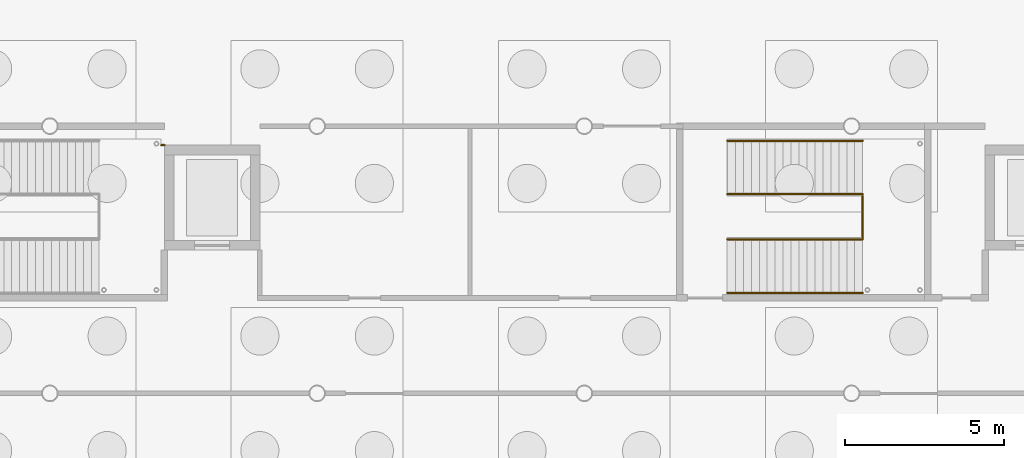
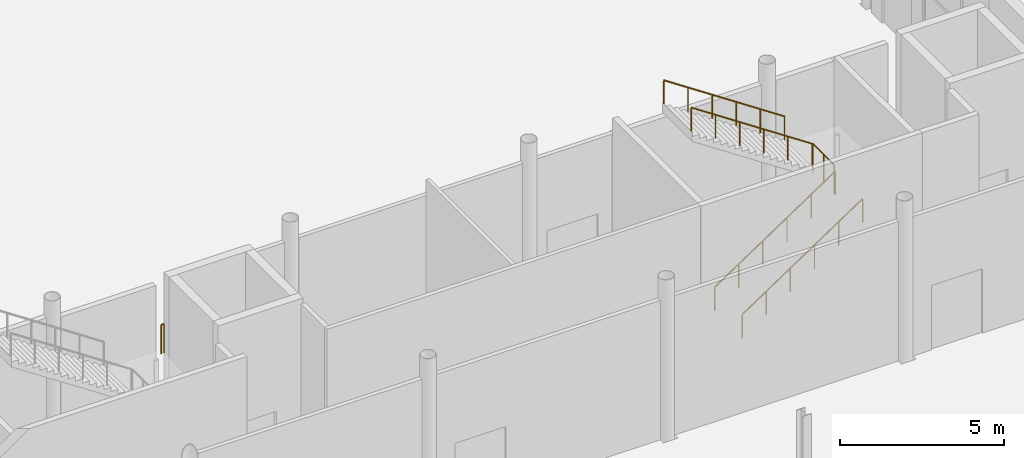
# One storey, part 197 of 212: 6 railings.
"""IFC4 building model written with IfcOpenShell, lengths in metres."""

import ifcopenshell
import ifcopenshell.guid

model = None  # the IFC model being written
_history = None  # IfcOwnerHistory: only IFC2X3 demands one
_inside = {}  # id of a spatial element -> (the spatial element, [elements in it])
_under = {}  # id of a project, library or spatial element -> (it, [spatial elements below it])
_declared = {}  # id of a project -> (the project, [libraries it declares])
_typed = {}  # id of a type object -> (the type object, [elements of that type])
_made_of = {}  # id of a material, layer set ... -> (it, [elements and type objects made of it])


def new_model(schema):
    """Start an empty IFC model of exactly this schema.

    Asked for "IFC4X3", IfcOpenShell would pick the latest addendum, in which some entities
    have other attributes; the version numbers below select the first issue.
    IFC2X3 requires an IfcOwnerHistory on every rooted entity: one is made here for all.
    """
    global model, _history
    if schema == "IFC4X3":
        model = ifcopenshell.file(schema_version=(4, 3, 0, 0))
    else:
        model = ifcopenshell.file(schema=schema)
    _inside.clear()
    _under.clear()
    _declared.clear()
    _typed.clear()
    _made_of.clear()
    _history = None
    if model.schema == "IFC2X3":
        org = make("IfcOrganization", Name="unknown")
        user = make(
            "IfcPersonAndOrganization",
            ThePerson=make("IfcPerson", FamilyName="unknown"),
            TheOrganization=org,
        )
        app = make(
            "IfcApplication",
            ApplicationDeveloper=org,
            Version="unknown",
            ApplicationFullName="unknown",
            ApplicationIdentifier="unknown",
        )
        _history = make(
            "IfcOwnerHistory",
            OwningUser=user,
            OwningApplication=app,
            ChangeAction="ADDED",
            CreationDate=0,
        )
    return model


def make(cls, **values):
    """One entity of the class cls with the attributes given. An attribute that is None is left unset."""
    return model.create_entity(
        cls, **{name: value for name, value in values.items() if value is not None}
    )


def rooted(cls, **values):
    """An entity with a GlobalId (a new one), such as an element, a storey or a relation."""
    return make(cls, GlobalId=ifcopenshell.guid.new(), OwnerHistory=_history, **values)


def si_unit(unit_type, name, prefix=None):
    """IfcSIUnit, for example si_unit("LENGTHUNIT", "METRE", prefix="MILLI")."""
    return make("IfcSIUnit", UnitType=unit_type, Prefix=prefix, Name=name)


def assignment(units):
    """IfcUnitAssignment: the units of a project."""
    return None if units is None else make("IfcUnitAssignment", Units=units)


def point(xyz):
    """IfcCartesianPoint."""
    return None if xyz is None else make("IfcCartesianPoint", Coordinates=xyz)


def direction(xyz):
    """IfcDirection."""
    return None if xyz is None else make("IfcDirection", DirectionRatios=xyz)


def frame(location, z_axis=None, x_axis=None):
    """IfcAxis2Placement3D, a coordinate frame: its origin and axes. An axis left out is left unset."""
    return make(
        "IfcAxis2Placement3D",
        Location=point(location),
        Axis=direction(z_axis),
        RefDirection=direction(x_axis),
    )


def frame_2d(location, x_axis=None):
    """IfcAxis2Placement2D, a coordinate frame in the plane: its origin and x axis."""
    return make(
        "IfcAxis2Placement2D", Location=point(location), RefDirection=direction(x_axis)
    )


def origin():
    """The frame at (0, 0, 0) with its axes left unset."""
    return frame((0.0, 0.0, 0.0))


def origin_2d():
    """The frame at (0, 0) in the plane with its x axis left unset."""
    return frame_2d((0.0, 0.0))


def place(relative_to, where):
    """IfcLocalPlacement: puts the frame where relative to a parent placement (None: the world)."""
    return make(
        "IfcLocalPlacement", PlacementRelTo=relative_to, RelativePlacement=where
    )


def context(
    kind, dimensions, precision=None, world=None, true_north=None, identifier=None
):
    """IfcGeometricRepresentationContext, for example the 3D "Model" context."""
    return make(
        "IfcGeometricRepresentationContext",
        ContextIdentifier=identifier,
        ContextType=kind,
        CoordinateSpaceDimension=dimensions,
        Precision=precision,
        WorldCoordinateSystem=world,
        TrueNorth=true_north,
    )


def subcontext(parent, identifier, kind, view, scale=None):
    """IfcGeometricRepresentationSubContext, for example "Body" below "Model"."""
    return make(
        "IfcGeometricRepresentationSubContext",
        ContextIdentifier=identifier,
        ContextType=kind,
        ParentContext=parent,
        TargetScale=scale,
        TargetView=view,
    )


def project(units=None, contexts=None):
    """IfcProject with its units and contexts."""
    return rooted(
        "IfcProject",
        Name="project",
        RepresentationContexts=contexts,
        UnitsInContext=assignment(units),
    )


def spatial(cls, under=None, at=None, **own):
    """A site, building, storey or space (cls), placed at a placement, below another one or the project."""
    s = rooted(cls, ObjectPlacement=at, **own)
    if under is not None:
        _under.setdefault(under.id(), (under, []))[1].append(s)
    return s


def profile(cls, at=None, kind="AREA", **sizes):
    """A parametric profile (cls). Its sizes go by their IFC names, for example OverallWidth=200.0."""
    return make(cls, ProfileType=kind, Position=at, **sizes)


def circle(**sizes):
    """IfcCircleProfileDef."""
    return profile("IfcCircleProfileDef", **sizes)


def extrude(swept, where, along, depth):
    """IfcExtrudedAreaSolid: the profile swept, set in the frame where, extruded along a direction by depth."""
    return make(
        "IfcExtrudedAreaSolid",
        SweptArea=swept,
        Position=where,
        ExtrudedDirection=direction(along),
        Depth=depth,
    )


def shape(context_of_items, identifier, shape_type, items):
    """IfcShapeRepresentation: the items that make up one representation, for example the "Body"."""
    return make(
        "IfcShapeRepresentation",
        ContextOfItems=context_of_items,
        RepresentationIdentifier=identifier,
        RepresentationType=shape_type,
        Items=items,
    )


def material(Name=None, Category=None):
    """IfcMaterial."""
    return make("IfcMaterial", Name=Name, Category=Category)


def made_of(thing, what):
    """Note that an element or type object is made of a material, layer set ...; save() writes the relation."""
    if what is not None:
        _made_of.setdefault(what.id(), (what, []))[1].append(thing)
    return thing


def type_object(cls, material=None, **own):
    """A type object (cls), such as IfcWallType, which elements share."""
    return made_of(rooted(cls, **own), material)


def element(
    cls,
    number,
    at=None,
    inside=None,
    cuts=None,
    type_object=None,
    material=None,
    context=None,
    identifier="Body",
    shape_type=None,
    held_by="IfcProductDefinitionShape",
    body=None,
    shapes=None,
    **own,
):
    """One element of the class cls, such as IfcWall. Its Tag is "e" and its number.

    at: its placement. inside: the storey or other place that contains it. cuts: it is an
    opening in that element (IfcRelVoidsElement). A single representation is given by context,
    identifier, shape_type and body (its items); several are given by shapes. held_by: the class
    of the entity that holds the representations. save() writes the other relations.
    """
    e = rooted(cls, Tag="e%d" % number, ObjectPlacement=at, **own)
    if body is not None:
        shapes = [shape(context, identifier, shape_type, body)]
    if shapes is not None:
        e.Representation = make(held_by, Representations=shapes)
    if inside is not None:
        _inside.setdefault(inside.id(), (inside, []))[1].append(e)
    if cuts is not None:
        rooted(
            "IfcRelVoidsElement", RelatingBuildingElement=cuts, RelatedOpeningElement=e
        )
    if type_object is not None:
        _typed.setdefault(type_object.id(), (type_object, []))[1].append(e)
    return made_of(e, material)


def aggregate(whole, parts):
    """IfcRelAggregates: a whole, such as a stair, and the parts it consists of."""
    return rooted("IfcRelAggregates", RelatingObject=whole, RelatedObjects=parts)


def save(model, path):
    """Write the relations noted so far, then the file.

    IfcRelAggregates (storeys below a building ...), IfcRelContainedInSpatialStructure (elements
    in a storey), IfcRelDefinesByType, IfcRelAssociatesMaterial and IfcRelDeclares: one each for
    every whole, place, type object, material and project.
    """
    for whole, parts in _under.values():
        aggregate(whole, parts)
    for where, things in _inside.values():
        rooted(
            "IfcRelContainedInSpatialStructure",
            RelatedElements=things,
            RelatingStructure=where,
        )
    for kind, things in _typed.values():
        rooted("IfcRelDefinesByType", RelatedObjects=things, RelatingType=kind)
    for what, things in _made_of.values():
        rooted("IfcRelAssociatesMaterial", RelatedObjects=things, RelatingMaterial=what)
    for by, libraries in _declared.values():
        rooted("IfcRelDeclares", RelatingContext=by, RelatedDefinitions=libraries)
    model.write(path)


model = new_model("IFC4")

# Units and contexts
model_context = context("Model", 3, precision=1e-05, world=origin(), true_north=direction((0.0, 1.0)))
body_context = subcontext(model_context, "Body", "Model", "MODEL_VIEW")
ifc_project = project(units=[si_unit("LENGTHUNIT", "METRE"), si_unit("AREAUNIT", "SQUARE_METRE"), si_unit("VOLUMEUNIT", "CUBIC_METRE"), si_unit("PLANEANGLEUNIT", "RADIAN"), si_unit("MASSUNIT", "GRAM", prefix="KILO")], contexts=[model_context])

# Site, building, storey
site_placement = place(None, origin())
site = spatial("IfcSite", under=ifc_project, at=site_placement, CompositionType="ELEMENT")
building_placement = place(site_placement, origin())
building = spatial("IfcBuilding", under=site, at=building_placement, Name="Catenary Quay Ferry Terminal", CompositionType="ELEMENT")
storey_placement = place(building_placement, origin())
storey = spatial("IfcBuildingStorey", under=building, at=storey_placement, Name="L00", CompositionType="ELEMENT", Elevation=0.0)

# Railings
ifc_material_1 = material(Name="Steel and glass", Category="steel")
railing_type_1 = type_object("IfcRailingType", Name="GI1", PredefinedType="GUARDRAIL", material=ifc_material_1)
railing_1_placement = place(storey_placement, frame((84.35009765625, 105.699951171875, 3.0)))
element("IfcRailing", 1, at=railing_1_placement, inside=storey, type_object=railing_type_1, Name="TS3 landing guard GI299", PredefinedType="GUARDRAIL", context=body_context, shape_type="SweptSolid", body=[
    extrude(circle(Radius=0.02392578125, at=origin_2d()), frame((0.0, 0.0, 1.076171875), z_axis=(0.0, 1.0, 0.0), x_axis=(-1.0, 0.0, 0.0)), (0.0, 0.0, 1.0), 1.300048828125),
    extrude(circle(Radius=0.02099609375, at=origin_2d()), origin(), (0.0, 0.0, 1.0), 1.052001953125),
    extrude(circle(Radius=0.02099609375, at=origin_2d()), frame((0.0, 0.64990234375, 0.0)), (0.0, 0.0, 1.0), 1.052001953125),
    extrude(circle(Radius=0.02099609375, at=origin_2d()), frame((0.0, 1.300048828125, 0.0)), (0.0, 0.0, 1.0), 1.052001953125),
])
railing_2_placement = place(storey_placement, frame((62.300048828125, 108.60009765625, 3.0)))
element("IfcRailing", 2, at=railing_2_placement, inside=storey, type_object=railing_type_1, Name="TS4 strip 0 guard GI310", PredefinedType="GUARDRAIL", context=body_context, shape_type="SweptSolid", body=[
    extrude(circle(Radius=0.02392578125, at=origin_2d()), frame((0.0, 0.0, 1.076171875), z_axis=(1.0, 0.0, 0.0), x_axis=(0.0, 1.0, 0.0)), (0.0, 0.0, 1.0), 0.099853515625),
    extrude(circle(Radius=0.02099609375, at=origin_2d()), origin(), (0.0, 0.0, 1.0), 1.052001953125),
    extrude(circle(Radius=0.02099609375, at=origin_2d()), frame((0.099853515625, 0.0, 0.0)), (0.0, 0.0, 1.0), 1.052001953125),
])
ifc_material_2 = material(Name="Stainless steel", Category="steel")
railing_type_2 = type_object("IfcRailingType", Name="HR1", PredefinedType="HANDRAIL", material=ifc_material_2)
for number, where, name in (
    (3, (80.10009765625, 103.9599609375, 0.166748046875), "TS3 F1A handrail HR294"),
    (4, (80.10009765625, 105.639892578125, 0.166748046875), "TS3 F1B handrail HR295"),
):
    element("IfcRailing", number, at=place(storey_placement, frame(where)), inside=storey, type_object=railing_type_2, Name=name, PredefinedType="HANDRAIL", context=body_context, shape_type="SweptSolid", body=[
        extrude(circle(Radius=0.02392578125, at=origin_2d()), frame((0.0, 0.0, 0.8759765625), z_axis=(0.832057647715, 0.0, 0.554689166001), x_axis=(0.0, 1.0, 0.0)), (0.0, 0.0, 1.0), 5.10791015625),
        extrude(circle(Radius=0.02099609375, at=origin_2d()), origin(), (0.0, 0.0, 1.0), 0.851806640625),
        extrude(circle(Radius=0.02099609375, at=origin_2d()), frame((0.85009765625, 0.0, 0.566650390625)), (0.0, 0.0, 1.0), 0.851806640625),
        extrude(circle(Radius=0.02099609375, at=origin_2d()), frame((1.699951171875, 0.0, 1.13330078125)), (0.0, 0.0, 1.0), 0.851806640625),
        extrude(circle(Radius=0.02099609375, at=origin_2d()), frame((2.550048828125, 0.0, 1.699951171875)), (0.0, 0.0, 1.0), 0.851806640625),
        extrude(circle(Radius=0.02099609375, at=origin_2d()), frame((3.39990234375, 0.0, 2.2666015625)), (0.0, 0.0, 1.0), 0.851806640625),
        extrude(circle(Radius=0.02099609375, at=origin_2d()), frame((4.25, 0.0, 2.833251953125)), (0.0, 0.0, 1.0), 0.851806640625),
    ])
for number, where, name in (
    (5, (84.35009765625, 107.06005859375, 3.166748046875), "TS3 F2A handrail HR296"),
    (6, (84.35009765625, 108.739990234375, 3.166748046875), "TS3 F2B handrail HR297"),
):
    element("IfcRailing", number, at=place(storey_placement, frame(where)), inside=storey, type_object=railing_type_2, Name=name, PredefinedType="HANDRAIL", context=body_context, shape_type="SweptSolid", body=[
        extrude(circle(Radius=0.02392578125, at=origin_2d()), frame((0.0, 0.0, 0.8759765625), z_axis=(-0.832057647715, 0.0, 0.554689166001), x_axis=(0.0, -1.0, 0.0)), (0.0, 0.0, 1.0), 5.10791015625),
        extrude(circle(Radius=0.02099609375, at=origin_2d()), origin(), (0.0, 0.0, 1.0), 0.851806640625),
        extrude(circle(Radius=0.02099609375, at=origin_2d()), frame((-0.85009765625, 0.0, 0.566650390625)), (0.0, 0.0, 1.0), 0.851806640625),
        extrude(circle(Radius=0.02099609375, at=origin_2d()), frame((-1.699951171875, 0.0, 1.13330078125)), (0.0, 0.0, 1.0), 0.851806640625),
        extrude(circle(Radius=0.02099609375, at=origin_2d()), frame((-2.550048828125, 0.0, 1.699951171875)), (0.0, 0.0, 1.0), 0.851806640625),
        extrude(circle(Radius=0.02099609375, at=origin_2d()), frame((-3.39990234375, 0.0, 2.2666015625)), (0.0, 0.0, 1.0), 0.851806640625),
        extrude(circle(Radius=0.02099609375, at=origin_2d()), frame((-4.25, 0.0, 2.833251953125)), (0.0, 0.0, 1.0), 0.851806640625),
    ])

save(model, "model.ifc")
